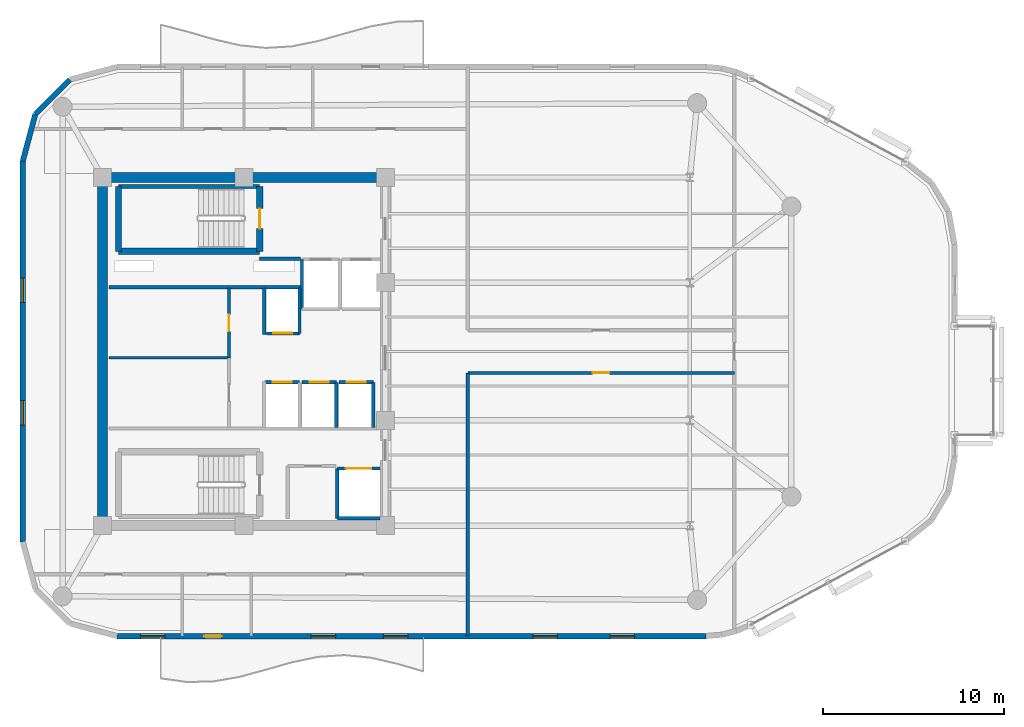
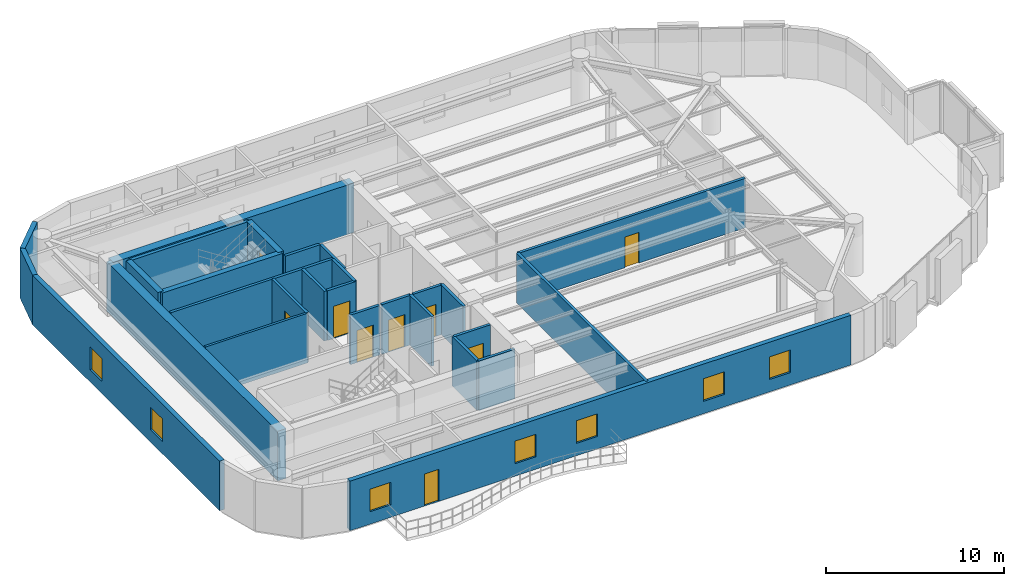
# One storey, part 10 of 14: 28 walls, 9 doors, 7 windows, 16 openings.
"""IFC4 building model written with IfcOpenShell, lengths in metres."""

from ifc_helpers import new_model, si_unit, direction, frame, frame_2d, origin, place, context, subcontext, project, spatial, rectangle, extrude, material, layer, layer_set, type_object, element, fill, save


model = new_model("IFC4")

# Units and contexts
model_context = context("Model", 3, precision=1e-05, world=origin(), true_north=direction((0.0, 1.0)))
body_context = subcontext(model_context, "Body", "Model", "MODEL_VIEW")
ifc_project = project(units=[si_unit("LENGTHUNIT", "METRE"), si_unit("AREAUNIT", "SQUARE_METRE"), si_unit("VOLUMEUNIT", "CUBIC_METRE"), si_unit("PLANEANGLEUNIT", "RADIAN"), si_unit("MASSUNIT", "GRAM", prefix="KILO")], contexts=[model_context])

# Site, building, storey
site_placement = place(None, origin())
site = spatial("IfcSite", under=ifc_project, at=site_placement, CompositionType="ELEMENT")
building_placement = place(site_placement, origin())
building = spatial("IfcBuilding", under=site, at=building_placement, Name="An Khanh Terracotta Commons", CompositionType="ELEMENT")
storey_placement = place(building_placement, frame((0.0, 0.0, 240.89990234375)))
storey = spatial("IfcBuildingStorey", under=building, at=storey_placement, Name="L63", CompositionType="ELEMENT", Elevation=240.89990234375)

# Walls
ifc_material_1 = material(Name="Concrete C50/60", Category="concrete")
ifc_layer_1 = layer(ifc_material_1, 0.550048828125, Name="Concrete C50/60")
ifc_layer_set_1 = layer_set([ifc_layer_1], Name="Concrete C50/60")
wall_type_1 = type_object("IfcWallType", Name="WALL-CORE-550", PredefinedType="SHEAR", material=ifc_layer_set_1)
wall_1_placement = place(storey_placement, frame((21.60009765625, 14.39990234375, 0.0), z_axis=(0.0, 0.0, 1.0), x_axis=(0.0, 1.0, 0.0)))
element("IfcWall", 1, at=wall_1_placement, inside=storey, type_object=wall_type_1, Name="L63 Core Wall CWALL-L63-W", PredefinedType="SHEAR", context=body_context, shape_type="SweptSolid", body=[
    extrude(rectangle(XDim=19.2001953125, YDim=0.550048828125, at=frame_2d((9.60009765625, 0.0))), origin(), (0.0, 0.0, 1.0), 3.400146484375),
])
wall_2_placement = place(storey_placement, frame((21.60009765625, 33.60009765625, 0.0), z_axis=(0.0, 0.0, 1.0), x_axis=(1.0, 0.0, 0.0)))
element("IfcWall", 2, at=wall_2_placement, inside=storey, type_object=wall_type_1, Name="L63 Core Wall CWALL-L63-N", PredefinedType="SHEAR", context=body_context, shape_type="SweptSolid", body=[
    extrude(rectangle(XDim=15.599853515625, YDim=0.550048828125, at=frame_2d((7.7998046875, 0.0))), origin(), (0.0, 0.0, 1.0), 3.400146484375),
])
ifc_material_2 = material(Name="Fire-Rated Gypsum Board on Steel Stud", Category="steel")
ifc_layer_2 = layer(ifc_material_2, 0.179931640625, Name="Fire-Rated Gypsum Board on Steel Stud")
ifc_layer_set_2 = layer_set([ifc_layer_2], Name="Fire-Rated Gypsum Board on Steel Stud")
wall_type_2 = type_object("IfcWallType", Name="WALL-CORR-180", PredefinedType="PARTITIONING", material=ifc_layer_set_2)
wall_3_placement = place(storey_placement, frame((30.27001953125, 29.1201171875, 0.0), z_axis=(0.0, 0.0, 1.0), x_axis=(1.0, 0.0, 0.0)))
element("IfcWall", 3, at=wall_3_placement, inside=storey, type_object=wall_type_2, Name="L63 Core Wall FFLW-L63-S", PredefinedType="PARTITIONING", context=body_context, shape_type="SweptSolid", body=[
    extrude(rectangle(XDim=2.239990234375, YDim=0.179931640625, at=frame_2d((1.1201171875, 0.0))), origin(), (0.0, 0.0, 1.0), 3.400146484375),
])
wall_4_placement = place(storey_placement, frame((21.949951171875, 27.5400390625, 0.0), z_axis=(0.0, 0.0, 1.0), x_axis=(1.0, 0.0, 0.0)))
element("IfcWall", 4, at=wall_4_placement, inside=storey, type_object=wall_type_2, Name="L63 Core Wall RSRW-L63-S", PredefinedType="PARTITIONING", context=body_context, shape_type="SweptSolid", body=[
    extrude(rectangle(XDim=10.56005859375, YDim=0.179931640625, at=frame_2d((5.280029296875, 0.0))), origin(), (0.0, 0.0, 1.0), 3.400146484375),
])
wall_5_placement = place(storey_placement, frame((32.60009765625, 29.080078125, 0.0), z_axis=(0.0, 0.0, 1.0), x_axis=(0.0, -1.0, 0.0)))
element("IfcWall", 5, at=wall_5_placement, inside=storey, type_object=wall_type_2, Name="L63 Core Wall LSH-L63-FFL-01-W", PredefinedType="PARTITIONING", context=body_context, shape_type="SweptSolid", body=[
    extrude(rectangle(XDim=2.72998046875, YDim=0.179931640625, at=frame_2d((1.364990234375, 0.0))), origin(), (0.0, 0.0, 1.0), 3.400146484375),
])

# Wall, opening, door
wall_6_placement = place(storey_placement, frame((34.550048828125, 17.550048828125, 0.0), z_axis=(0.0, 0.0, 1.0), x_axis=(1.0, 0.0, 0.0)))
wall_6 = element("IfcWall", 6, at=wall_6_placement, inside=storey, type_object=wall_type_2, Name="L63 Core Wall LSH-L63-SVL-01-N", PredefinedType="PARTITIONING", context=body_context, shape_type="SweptSolid", body=[
    extrude(rectangle(XDim=2.349853515625, YDim=0.179931640625, at=frame_2d((1.1748046875, 0.0))), origin(), (0.0, 0.0, 1.0), 3.400146484375),
])
opening_1_placement = place(wall_6_placement, frame((0.47509765625, 0.0, 0.0)))
opening_1 = element("IfcOpeningElement", 7, at=opening_1_placement, cuts=wall_6, Name="Opening LD-SVL-01-L63", PredefinedType="OPENING", context=body_context, shape_type="SweptSolid", body=[
    extrude(rectangle(XDim=1.39990234375, YDim=2.300048828125, at=frame_2d((0.699951171875, 1.14990234375))), frame((0.0, 0.099853515625, 0.0), z_axis=(0.0, -1.0, 0.0), x_axis=(1.0, 0.0, 0.0)), (0.0, 0.0, 1.0), 0.199951171875),
])
ifc_material_3 = material(Name="Heavy-Duty Stainless Steel Goods Landing Door", Category="steel")
door_type_1 = type_object("IfcDoorType", Name="DOOR-LD-SVL-1400", OperationType="NOTDEFINED", PredefinedType="DOOR", material=ifc_material_3)
door_1_placement = place(opening_1_placement, origin())
door_1 = element("IfcDoor", 8, at=door_1_placement, inside=storey, type_object=door_type_1, Name="L63 Lift SVL-01 Sliding Landing Door", OperationType="DOUBLE_DOOR_SLIDING", OverallHeight=2.300048828125, OverallWidth=1.39990234375, PredefinedType="DOOR", context=body_context, shape_type="SweptSolid", body=[
    extrude(rectangle(XDim=1.39990234375, YDim=2.300048828125, at=frame_2d((0.699951171875, 1.14990234375))), frame((0.0, 0.02490234375, 0.0), z_axis=(0.0, -1.0, 0.0), x_axis=(1.0, 0.0, 0.0)), (0.0, 0.0, 1.0), 0.050048828125),
])
fill(opening_1, door_1)

# Walls
wall_7_placement = place(storey_placement, frame((36.89990234375, 14.800048828125, 0.0), z_axis=(0.0, 0.0, 1.0), x_axis=(-1.0, 0.0, 0.0)))
element("IfcWall", 9, at=wall_7_placement, inside=storey, type_object=wall_type_2, Name="L63 Core Wall LSH-L63-SVL-01-S", PredefinedType="PARTITIONING", context=body_context, shape_type="SweptSolid", body=[
    extrude(rectangle(XDim=2.349853515625, YDim=0.179931640625, at=frame_2d((1.1748046875, 0.0))), origin(), (0.0, 0.0, 1.0), 3.400146484375),
])
wall_8_placement = place(storey_placement, frame((34.550048828125, 17.550048828125, 0.0), z_axis=(0.0, 0.0, 1.0), x_axis=(0.0, -1.0, 0.0)))
element("IfcWall", 10, at=wall_8_placement, inside=storey, type_object=wall_type_2, Name="L63 Core Wall LSH-L63-SVL-01-W", PredefinedType="PARTITIONING", context=body_context, shape_type="SweptSolid", body=[
    extrude(rectangle(XDim=2.75, YDim=0.179931640625, at=frame_2d((1.375, 0.0))), origin(), (0.0, 0.0, 1.0), 3.400146484375),
])

# Wall, opening, door
wall_9_placement = place(storey_placement, frame((32.4599609375, 25.0, 0.0), z_axis=(0.0, 0.0, 1.0), x_axis=(-1.0, 0.0, 0.0)))
wall_9 = element("IfcWall", 11, at=wall_9_placement, inside=storey, type_object=wall_type_2, Name="L63 Core Wall LSH-L63-PL-H1-S", PredefinedType="PARTITIONING", context=body_context, shape_type="SweptSolid", body=[
    extrude(rectangle(XDim=1.820068359375, YDim=0.179931640625, at=frame_2d((0.91015625, 0.0))), origin(), (0.0, 0.0, 1.0), 3.400146484375),
])
opening_2_placement = place(wall_9_placement, frame((0.385009765625, 0.0, 0.0)))
opening_2 = element("IfcOpeningElement", 12, at=opening_2_placement, cuts=wall_9, Name="Opening LD-PL-H1-L63", PredefinedType="OPENING", context=body_context, shape_type="SweptSolid", body=[
    extrude(rectangle(XDim=1.050048828125, YDim=2.199951171875, at=frame_2d((0.52490234375, 1.10009765625))), frame((0.0, 0.099853515625, 0.0), z_axis=(0.0, -1.0, 0.0), x_axis=(1.0, 0.0, 0.0)), (0.0, 0.0, 1.0), 0.199951171875),
])
ifc_material_4 = material(Name="Brushed Stainless Steel High-Rise Landing Door", Category="steel")
door_type_2 = type_object("IfcDoorType", Name="DOOR-LD-PAXH-1050", OperationType="NOTDEFINED", PredefinedType="DOOR", material=ifc_material_4)
door_2_placement = place(opening_2_placement, origin())
door_2 = element("IfcDoor", 13, at=door_2_placement, inside=storey, type_object=door_type_2, Name="L63 Lift PL-H1 Sliding Landing Door", OperationType="DOUBLE_DOOR_SLIDING", OverallHeight=2.199951171875, OverallWidth=1.050048828125, PredefinedType="DOOR", context=body_context, shape_type="SweptSolid", body=[
    extrude(rectangle(XDim=1.050048828125, YDim=2.199951171875, at=frame_2d((0.52490234375, 1.10009765625))), frame((0.0, 0.02490234375, 0.0), z_axis=(0.0, -1.0, 0.0), x_axis=(1.0, 0.0, 0.0)), (0.0, 0.0, 1.0), 0.050048828125),
])
fill(opening_2, door_2)

# Wall
wall_10_placement = place(storey_placement, frame((32.4599609375, 25.0, 0.0), z_axis=(0.0, 0.0, 1.0), x_axis=(0.0, 1.0, 0.0)))
element("IfcWall", 14, at=wall_10_placement, inside=storey, type_object=wall_type_2, Name="L63 Core Wall LSH-L63-PL-H1-E", PredefinedType="PARTITIONING", context=body_context, shape_type="SweptSolid", body=[
    extrude(rectangle(XDim=2.5, YDim=0.179931640625, at=frame_2d((1.25, 0.0))), origin(), (0.0, 0.0, 1.0), 3.400146484375),
])

# Wall, opening, door
wall_11_placement = place(storey_placement, frame((30.56005859375, 22.300048828125, 0.0), z_axis=(0.0, 0.0, 1.0), x_axis=(1.0, 0.0, 0.0)))
wall_11 = element("IfcWall", 15, at=wall_11_placement, inside=storey, type_object=wall_type_2, Name="L63 Core Wall LSH-L63-PL-H2-N", PredefinedType="PARTITIONING", context=body_context, shape_type="SweptSolid", body=[
    extrude(rectangle(XDim=1.89990234375, YDim=0.179931640625, at=frame_2d((0.949951171875, 0.0))), origin(), (0.0, 0.0, 1.0), 3.400146484375),
])
opening_3_placement = place(wall_11_placement, frame((0.425048828125, 0.0, 0.0)))
opening_3 = element("IfcOpeningElement", 16, at=opening_3_placement, cuts=wall_11, Name="Opening LD-PL-H2-L63", PredefinedType="OPENING", context=body_context, shape_type="SweptSolid", body=[
    extrude(rectangle(XDim=1.050048828125, YDim=2.199951171875, at=frame_2d((0.52490234375, 1.10009765625))), frame((0.0, 0.099853515625, 0.0), z_axis=(0.0, -1.0, 0.0), x_axis=(1.0, 0.0, 0.0)), (0.0, 0.0, 1.0), 0.199951171875),
])
door_3_placement = place(opening_3_placement, origin())
door_3 = element("IfcDoor", 17, at=door_3_placement, inside=storey, type_object=door_type_2, Name="L63 Lift PL-H2 Sliding Landing Door", OperationType="DOUBLE_DOOR_SLIDING", OverallHeight=2.199951171875, OverallWidth=1.050048828125, PredefinedType="DOOR", context=body_context, shape_type="SweptSolid", body=[
    extrude(rectangle(XDim=1.050048828125, YDim=2.199951171875, at=frame_2d((0.52490234375, 1.10009765625))), frame((0.0, 0.02490234375, 0.0), z_axis=(0.0, -1.0, 0.0), x_axis=(1.0, 0.0, 0.0)), (0.0, 0.0, 1.0), 0.050048828125),
])
fill(opening_3, door_3)

wall_12_placement = place(storey_placement, frame((32.60009765625, 22.300048828125, 0.0), z_axis=(0.0, 0.0, 1.0), x_axis=(1.0, 0.0, 0.0)))
wall_12 = element("IfcWall", 18, at=wall_12_placement, inside=storey, type_object=wall_type_2, Name="L63 Core Wall LSH-L63-PL-H3-N", PredefinedType="PARTITIONING", context=body_context, shape_type="SweptSolid", body=[
    extrude(rectangle(XDim=1.89990234375, YDim=0.179931640625, at=frame_2d((0.949951171875, 0.0))), origin(), (0.0, 0.0, 1.0), 3.400146484375),
])
opening_4_placement = place(wall_12_placement, frame((0.425048828125, 0.0, 0.0)))
opening_4 = element("IfcOpeningElement", 19, at=opening_4_placement, cuts=wall_12, Name="Opening LD-PL-H3-L63", PredefinedType="OPENING", context=body_context, shape_type="SweptSolid", body=[
    extrude(rectangle(XDim=1.050048828125, YDim=2.199951171875, at=frame_2d((0.52490234375, 1.10009765625))), frame((0.0, 0.099853515625, 0.0), z_axis=(0.0, -1.0, 0.0), x_axis=(1.0, 0.0, 0.0)), (0.0, 0.0, 1.0), 0.199951171875),
])
door_4_placement = place(opening_4_placement, origin())
door_4 = element("IfcDoor", 20, at=door_4_placement, inside=storey, type_object=door_type_2, Name="L63 Lift PL-H3 Sliding Landing Door", OperationType="DOUBLE_DOOR_SLIDING", OverallHeight=2.199951171875, OverallWidth=1.050048828125, PredefinedType="DOOR", context=body_context, shape_type="SweptSolid", body=[
    extrude(rectangle(XDim=1.050048828125, YDim=2.199951171875, at=frame_2d((0.52490234375, 1.10009765625))), frame((0.0, 0.02490234375, 0.0), z_axis=(0.0, -1.0, 0.0), x_axis=(1.0, 0.0, 0.0)), (0.0, 0.0, 1.0), 0.050048828125),
])
fill(opening_4, door_4)

# Wall
wall_13_placement = place(storey_placement, frame((34.5, 19.800048828125, 0.0), z_axis=(0.0, 0.0, 1.0), x_axis=(0.0, 1.0, 0.0)))
element("IfcWall", 21, at=wall_13_placement, inside=storey, type_object=wall_type_2, Name="L63 Core Wall LSH-L63-PL-H3-E", PredefinedType="PARTITIONING", context=body_context, shape_type="SweptSolid", body=[
    extrude(rectangle(XDim=2.5, YDim=0.179931640625, at=frame_2d((1.25, 0.0))), origin(), (0.0, 0.0, 1.0), 3.400146484375),
])

# Wall, opening, door
wall_14_placement = place(storey_placement, frame((34.639892578125, 22.300048828125, 0.0), z_axis=(0.0, 0.0, 1.0), x_axis=(1.0, 0.0, 0.0)))
wall_14 = element("IfcWall", 22, at=wall_14_placement, inside=storey, type_object=wall_type_2, Name="L63 Core Wall LSH-L63-PL-H4-N", PredefinedType="PARTITIONING", context=body_context, shape_type="SweptSolid", body=[
    extrude(rectangle(XDim=1.900146484375, YDim=0.179931640625, at=frame_2d((0.9501953125, 0.0))), origin(), (0.0, 0.0, 1.0), 3.400146484375),
])
opening_5_placement = place(wall_14_placement, frame((0.425048828125, 0.0, 0.0)))
opening_5 = element("IfcOpeningElement", 23, at=opening_5_placement, cuts=wall_14, Name="Opening LD-PL-H4-L63", PredefinedType="OPENING", context=body_context, shape_type="SweptSolid", body=[
    extrude(rectangle(XDim=1.050048828125, YDim=2.199951171875, at=frame_2d((0.52490234375, 1.10009765625))), frame((0.0, 0.099853515625, 0.0), z_axis=(0.0, -1.0, 0.0), x_axis=(1.0, 0.0, 0.0)), (0.0, 0.0, 1.0), 0.199951171875),
])
door_5_placement = place(opening_5_placement, origin())
door_5 = element("IfcDoor", 24, at=door_5_placement, inside=storey, type_object=door_type_2, Name="L63 Lift PL-H4 Sliding Landing Door", OperationType="DOUBLE_DOOR_SLIDING", OverallHeight=2.199951171875, OverallWidth=1.050048828125, PredefinedType="DOOR", context=body_context, shape_type="SweptSolid", body=[
    extrude(rectangle(XDim=1.050048828125, YDim=2.199951171875, at=frame_2d((0.52490234375, 1.10009765625))), frame((0.0, 0.02490234375, 0.0), z_axis=(0.0, -1.0, 0.0), x_axis=(1.0, 0.0, 0.0)), (0.0, 0.0, 1.0), 0.050048828125),
])
fill(opening_5, door_5)

# Walls
wall_15_placement = place(storey_placement, frame((36.5400390625, 19.800048828125, 0.0), z_axis=(0.0, 0.0, 1.0), x_axis=(0.0, 1.0, 0.0)))
element("IfcWall", 25, at=wall_15_placement, inside=storey, type_object=wall_type_2, Name="L63 Core Wall LSH-L63-PL-H4-E", PredefinedType="PARTITIONING", context=body_context, shape_type="SweptSolid", body=[
    extrude(rectangle(XDim=2.5, YDim=0.179931640625, at=frame_2d((1.25, 0.0))), origin(), (0.0, 0.0, 1.0), 3.400146484375),
])
wall_16_placement = place(storey_placement, frame((30.52001953125, 24.949951171875, 0.0), z_axis=(0.0, 0.0, 1.0), x_axis=(0.0, 1.0, 0.0)))
element("IfcWall", 26, at=wall_16_placement, inside=storey, type_object=wall_type_2, Name="L63 Core Wall RECW-L63-BE1", PredefinedType="PARTITIONING", context=body_context, shape_type="SweptSolid", body=[
    extrude(rectangle(XDim=2.550048828125, YDim=0.179931640625, at=frame_2d((1.27490234375, 0.0))), origin(), (0.0, 0.0, 1.0), 3.400146484375),
])

# Wall, opening, door
wall_17_placement = place(storey_placement, frame((28.580078125, 23.64990234375, 0.0), z_axis=(0.0, 0.0, 1.0), x_axis=(0.0, 1.0, 0.0)))
wall_17 = element("IfcWall", 27, at=wall_17_placement, inside=storey, type_object=wall_type_2, Name="L63 Core Wall RECW-L63-E1", PredefinedType="PARTITIONING", context=body_context, shape_type="SweptSolid", body=[
    extrude(rectangle(XDim=3.85009765625, YDim=0.179931640625, at=frame_2d((1.925048828125, 0.0))), origin(), (0.0, 0.0, 1.0), 3.400146484375),
])
opening_6_placement = place(wall_17_placement, frame((1.465087890625, 0.0, 0.0)))
opening_6 = element("IfcOpeningElement", 28, at=opening_6_placement, cuts=wall_17, Name="Opening D-RM", PredefinedType="OPENING", context=body_context, shape_type="SweptSolid", body=[
    extrude(rectangle(XDim=0.919921875, YDim=2.10009765625, at=frame_2d((0.4599609375, 1.050048828125))), frame((0.0, 0.099853515625, 0.0), z_axis=(0.0, -1.0, 0.0), x_axis=(1.0, 0.0, 0.0)), (0.0, 0.0, 1.0), 0.199951171875),
])
ifc_material_5 = material(Name="Engineered Hardwood Timber Leaf", Category="wood")
door_type_3 = type_object("IfcDoorType", Name="DOOR-INT-920", OperationType="NOTDEFINED", PredefinedType="DOOR", material=ifc_material_5)
door_6_placement = place(opening_6_placement, origin())
door_6 = element("IfcDoor", 29, at=door_6_placement, inside=storey, type_object=door_type_3, Name="L63 Communal Laundry Room Door", OperationType="SINGLE_SWING_RIGHT", OverallHeight=2.10009765625, OverallWidth=0.919921875, PredefinedType="DOOR", context=body_context, shape_type="SweptSolid", body=[
    extrude(rectangle(XDim=0.919921875, YDim=2.10009765625, at=frame_2d((0.4599609375, 1.050048828125))), frame((0.0, 0.02490234375, 0.0), z_axis=(0.0, -1.0, 0.0), x_axis=(1.0, 0.0, 0.0)), (0.0, 0.0, 1.0), 0.050048828125),
])
fill(opening_6, door_6)

wall_18_placement = place(storey_placement, frame((41.75, 22.820068359375, 0.0), z_axis=(0.0, 0.0, 1.0), x_axis=(1.0, 0.0, 0.0)))
wall_18 = element("IfcWall", 30, at=wall_18_placement, inside=storey, type_object=wall_type_2, Name="L63 Interior Partition IW-L63-E002", PredefinedType="PARTITIONING", context=body_context, shape_type="SweptSolid", body=[
    extrude(rectangle(XDim=14.699951171875, YDim=0.179931640625, at=frame_2d((7.35009765625, 0.0))), origin(), (0.0, 0.0, 1.0), 3.400146484375),
])
opening_7_placement = place(wall_18_placement, frame((6.889892578125, 0.0, 0.0)))
opening_7 = element("IfcOpeningElement", 31, at=opening_7_placement, cuts=wall_18, Name="Opening D-RM", PredefinedType="OPENING", context=body_context, shape_type="SweptSolid", body=[
    extrude(rectangle(XDim=0.919921875, YDim=2.10009765625, at=frame_2d((0.4599609375, 1.050048828125))), frame((0.0, 0.099853515625, 0.0), z_axis=(0.0, -1.0, 0.0), x_axis=(1.0, 0.0, 0.0)), (0.0, 0.0, 1.0), 0.199951171875),
])
door_7_placement = place(opening_7_placement, origin())
door_7 = element("IfcDoor", 32, at=door_7_placement, inside=storey, type_object=door_type_3, Name="L63 SPN2 Research Study Office Door", OperationType="SINGLE_SWING_RIGHT", OverallHeight=2.10009765625, OverallWidth=0.919921875, PredefinedType="DOOR", context=body_context, shape_type="SweptSolid", body=[
    extrude(rectangle(XDim=0.919921875, YDim=2.10009765625, at=frame_2d((0.4599609375, 1.050048828125))), frame((0.0, 0.02490234375, 0.0), z_axis=(0.0, -1.0, 0.0), x_axis=(1.0, 0.0, 0.0)), (0.0, 0.0, 1.0), 0.050048828125),
])
fill(opening_7, door_7)

# Wall
wall_19_placement = place(storey_placement, frame((41.75, 8.300048828125, 0.0), z_axis=(0.0, 0.0, 1.0), x_axis=(0.0, 1.0, 0.0)))
element("IfcWall", 33, at=wall_19_placement, inside=storey, type_object=wall_type_2, Name="L63 Interior Partition IW-L63-E010", PredefinedType="PARTITIONING", context=body_context, shape_type="SweptSolid", body=[
    extrude(rectangle(XDim=14.52001953125, YDim=0.179931640625, at=frame_2d((7.260009765625, 0.0))), origin(), (0.0, 0.0, 1.0), 3.400146484375),
])

# Wall, openings, door, windows
ifc_material_6 = material(Name="Precast concrete C40/50", Category="concrete")
ifc_layer_3 = layer(ifc_material_6, 0.300048828125, Name="Precast concrete C40/50")
ifc_layer_set_3 = layer_set([ifc_layer_3], Name="Precast concrete C40/50")
wall_type_3 = type_object("IfcWallType", Name="WALL-EXT-300", PredefinedType="SOLIDWALL", material=ifc_layer_set_3)
wall_20_placement = place(storey_placement, frame((22.39990234375, 8.300048828125, 0.0), z_axis=(0.0, 0.0, 1.0), x_axis=(1.0, 0.0, 0.0)))
wall_20 = element("IfcWall", 34, at=wall_20_placement, inside=storey, type_object=wall_type_3, Name="L63 Insulated Terracotta Exterior Wall 4", PredefinedType="SOLIDWALL", context=body_context, shape_type="SweptSolid", body=[
    extrude(rectangle(XDim=32.485107421875, YDim=0.300048828125, at=frame_2d((16.24267578125, 0.0))), origin(), (0.0, 0.0, 1.0), 3.400146484375),
])
opening_8_placement = place(wall_20_placement, frame((4.824951171875, 0.0, 0.0)))
opening_8 = element("IfcOpeningElement", 35, at=opening_8_placement, cuts=wall_20, Name="Opening D-BAL", PredefinedType="OPENING", context=body_context, shape_type="SweptSolid", body=[
    extrude(rectangle(XDim=0.949951171875, YDim=2.199951171875, at=frame_2d((0.47509765625, 1.10009765625))), frame((0.0, 0.159912109375, 0.0), z_axis=(0.0, -1.0, 0.0), x_axis=(1.0, 0.0, 0.0)), (0.0, 0.0, 1.0), 0.320068359375),
])
opening_9_placement = place(wall_20_placement, frame((1.300048828125, 0.0, 0.85009765625)))
opening_9 = element("IfcOpeningElement", 36, at=opening_9_placement, cuts=wall_20, Name="Opening W-04", PredefinedType="OPENING", context=body_context, shape_type="SweptSolid", body=[
    extrude(rectangle(XDim=1.35009765625, YDim=1.550048828125, at=frame_2d((0.675048828125, 0.77490234375))), frame((0.0, 0.159912109375, 0.0), z_axis=(0.0, -1.0, 0.0), x_axis=(1.0, 0.0, 0.0)), (0.0, 0.0, 1.0), 0.320068359375),
])
opening_10_placement = place(wall_20_placement, frame((10.7080078125, 0.0, 0.85009765625)))
opening_10 = element("IfcOpeningElement", 37, at=opening_10_placement, cuts=wall_20, Name="Opening W-04", PredefinedType="OPENING", context=body_context, shape_type="SweptSolid", body=[
    extrude(rectangle(XDim=1.35009765625, YDim=1.550048828125, at=frame_2d((0.675048828125, 0.77490234375))), frame((0.0, 0.159912109375, 0.0), z_axis=(0.0, -1.0, 0.0), x_axis=(1.0, 0.0, 0.0)), (0.0, 0.0, 1.0), 0.320068359375),
])
opening_11_placement = place(wall_20_placement, frame((14.69189453125, 0.0, 0.85009765625)))
opening_11 = element("IfcOpeningElement", 38, at=opening_11_placement, cuts=wall_20, Name="Opening W-04", PredefinedType="OPENING", context=body_context, shape_type="SweptSolid", body=[
    extrude(rectangle(XDim=1.35009765625, YDim=1.550048828125, at=frame_2d((0.675048828125, 0.77490234375))), frame((0.0, 0.159912109375, 0.0), z_axis=(0.0, -1.0, 0.0), x_axis=(1.0, 0.0, 0.0)), (0.0, 0.0, 1.0), 0.320068359375),
])
opening_12_placement = place(wall_20_placement, frame((22.93701171875, 0.0, 0.85009765625)))
opening_12 = element("IfcOpeningElement", 39, at=opening_12_placement, cuts=wall_20, Name="Opening W-04", PredefinedType="OPENING", context=body_context, shape_type="SweptSolid", body=[
    extrude(rectangle(XDim=1.35009765625, YDim=1.550048828125, at=frame_2d((0.675048828125, 0.77490234375))), frame((0.0, 0.159912109375, 0.0), z_axis=(0.0, -1.0, 0.0), x_axis=(1.0, 0.0, 0.0)), (0.0, 0.0, 1.0), 0.320068359375),
])
opening_13_placement = place(wall_20_placement, frame((27.197998046875, 0.0, 0.85009765625)))
opening_13 = element("IfcOpeningElement", 40, at=opening_13_placement, cuts=wall_20, Name="Opening W-04", PredefinedType="OPENING", context=body_context, shape_type="SweptSolid", body=[
    extrude(rectangle(XDim=1.35009765625, YDim=1.550048828125, at=frame_2d((0.675048828125, 0.77490234375))), frame((0.0, 0.159912109375, 0.0), z_axis=(0.0, -1.0, 0.0), x_axis=(1.0, 0.0, 0.0)), (0.0, 0.0, 1.0), 0.320068359375),
])
ifc_material_7 = material(Name="Thermally Broken Aluminium and Low-E Glass", Category="aluminium")
door_type_4 = type_object("IfcDoorType", Name="DOOR-BALC-950", OperationType="NOTDEFINED", PredefinedType="DOOR", material=ifc_material_7)
door_8_placement = place(opening_8_placement, origin())
door_8 = element("IfcDoor", 41, at=door_8_placement, inside=storey, type_object=door_type_4, Name="L63 S Wave Balcony Glazed Door", OperationType="SINGLE_SWING_LEFT", OverallHeight=2.199951171875, OverallWidth=0.949951171875, PredefinedType="DOOR", context=body_context, shape_type="SweptSolid", body=[
    extrude(rectangle(XDim=0.949951171875, YDim=2.199951171875, at=frame_2d((0.47509765625, 1.10009765625))), frame((0.0, 0.02490234375, 0.0), z_axis=(0.0, -1.0, 0.0), x_axis=(1.0, 0.0, 0.0)), (0.0, 0.0, 1.0), 0.050048828125),
])
fill(opening_8, door_8)
window_type = type_object("IfcWindowType", Name="WIN-Z4-1350x1550", PartitioningType="SINGLE_PANEL", PredefinedType="WINDOW", material=ifc_material_7)
window_1_placement = place(opening_9_placement, origin())
window_1 = element("IfcWindow", 42, at=window_1_placement, inside=storey, type_object=window_type, Name="L63 Operable Casement Window 4.1", OverallHeight=1.550048828125, OverallWidth=1.35009765625, PartitioningType="SINGLE_PANEL", PredefinedType="WINDOW", context=body_context, shape_type="SweptSolid", body=[
    extrude(rectangle(XDim=1.35009765625, YDim=1.550048828125, at=frame_2d((0.675048828125, 0.77490234375))), frame((0.0, 0.030029296875, 0.0), z_axis=(0.0, -1.0, 0.0), x_axis=(1.0, 0.0, 0.0)), (0.0, 0.0, 1.0), 0.06005859375),
])
fill(opening_9, window_1)
window_2_placement = place(opening_10_placement, origin())
window_2 = element("IfcWindow", 43, at=window_2_placement, inside=storey, type_object=window_type, Name="L63 Operable Casement Window 4.2", OverallHeight=1.550048828125, OverallWidth=1.35009765625, PartitioningType="SINGLE_PANEL", PredefinedType="WINDOW", context=body_context, shape_type="SweptSolid", body=[
    extrude(rectangle(XDim=1.35009765625, YDim=1.550048828125, at=frame_2d((0.675048828125, 0.77490234375))), frame((0.0, 0.030029296875, 0.0), z_axis=(0.0, -1.0, 0.0), x_axis=(1.0, 0.0, 0.0)), (0.0, 0.0, 1.0), 0.06005859375),
])
fill(opening_10, window_2)
window_3_placement = place(opening_11_placement, origin())
window_3 = element("IfcWindow", 44, at=window_3_placement, inside=storey, type_object=window_type, Name="L63 Operable Casement Window 4.3", OverallHeight=1.550048828125, OverallWidth=1.35009765625, PartitioningType="SINGLE_PANEL", PredefinedType="WINDOW", context=body_context, shape_type="SweptSolid", body=[
    extrude(rectangle(XDim=1.35009765625, YDim=1.550048828125, at=frame_2d((0.675048828125, 0.77490234375))), frame((0.0, 0.030029296875, 0.0), z_axis=(0.0, -1.0, 0.0), x_axis=(1.0, 0.0, 0.0)), (0.0, 0.0, 1.0), 0.06005859375),
])
fill(opening_11, window_3)
window_4_placement = place(opening_12_placement, origin())
window_4 = element("IfcWindow", 45, at=window_4_placement, inside=storey, type_object=window_type, Name="L63 Operable Casement Window 4.4", OverallHeight=1.550048828125, OverallWidth=1.35009765625, PartitioningType="SINGLE_PANEL", PredefinedType="WINDOW", context=body_context, shape_type="SweptSolid", body=[
    extrude(rectangle(XDim=1.35009765625, YDim=1.550048828125, at=frame_2d((0.675048828125, 0.77490234375))), frame((0.0, 0.030029296875, 0.0), z_axis=(0.0, -1.0, 0.0), x_axis=(1.0, 0.0, 0.0)), (0.0, 0.0, 1.0), 0.06005859375),
])
fill(opening_12, window_4)
window_5_placement = place(opening_13_placement, origin())
window_5 = element("IfcWindow", 46, at=window_5_placement, inside=storey, type_object=window_type, Name="L63 Operable Casement Window 4.5", OverallHeight=1.550048828125, OverallWidth=1.35009765625, PartitioningType="SINGLE_PANEL", PredefinedType="WINDOW", context=body_context, shape_type="SweptSolid", body=[
    extrude(rectangle(XDim=1.35009765625, YDim=1.550048828125, at=frame_2d((0.675048828125, 0.77490234375))), frame((0.0, 0.030029296875, 0.0), z_axis=(0.0, -1.0, 0.0), x_axis=(1.0, 0.0, 0.0)), (0.0, 0.0, 1.0), 0.06005859375),
])
fill(opening_13, window_5)

# Walls
wall_21_placement = place(storey_placement, frame((19.800048828125, 39.0029296875, 0.0), z_axis=(0.0, 0.0, 1.0), x_axis=(-0.707152139074, -0.70706142039, 0.0)))
element("IfcWall", 47, at=wall_21_placement, inside=storey, type_object=wall_type_3, Name="L63 Insulated Terracotta Exterior Wall 22", PredefinedType="SOLIDWALL", context=body_context, shape_type="SweptSolid", body=[
    extrude(rectangle(XDim=2.691162109375, YDim=0.300048828125, at=frame_2d((1.345703125, 0.0))), origin(), (0.0, 0.0, 1.0), 3.400146484375),
])
wall_22_placement = place(storey_placement, frame((17.89697265625, 37.10009765625, 0.0), z_axis=(0.0, 0.0, 1.0), x_axis=(-0.258932525951, -0.965895412042, 0.0)))
element("IfcWall", 48, at=wall_22_placement, inside=storey, type_object=wall_type_3, Name="L63 Insulated Terracotta Exterior Wall 23", PredefinedType="SOLIDWALL", context=body_context, shape_type="SweptSolid", body=[
    extrude(rectangle(XDim=2.69189453125, YDim=0.300048828125, at=frame_2d((1.345947265625, 0.0))), origin(), (0.0, 0.0, 1.0), 3.400146484375),
])

# Wall, openings, windows
wall_23_placement = place(storey_placement, frame((17.199951171875, 34.5, 0.0), z_axis=(0.0, 0.0, 1.0), x_axis=(0.0, -1.0, 0.0)))
wall_23 = element("IfcWall", 49, at=wall_23_placement, inside=storey, type_object=wall_type_3, Name="L63 Insulated Terracotta Exterior Wall 24", PredefinedType="SOLIDWALL", context=body_context, shape_type="SweptSolid", body=[
    extrude(rectangle(XDim=21.0, YDim=0.300048828125, at=frame_2d((10.5, 0.0))), origin(), (0.0, 0.0, 1.0), 3.400146484375),
])
opening_14_placement = place(wall_23_placement, frame((6.44189453125, 0.0, 0.85009765625)))
opening_14 = element("IfcOpeningElement", 50, at=opening_14_placement, cuts=wall_23, Name="Opening W-04", PredefinedType="OPENING", context=body_context, shape_type="SweptSolid", body=[
    extrude(rectangle(XDim=1.35009765625, YDim=1.550048828125, at=frame_2d((0.675048828125, 0.77490234375))), frame((0.0, 0.159912109375, 0.0), z_axis=(0.0, -1.0, 0.0), x_axis=(1.0, 0.0, 0.0)), (0.0, 0.0, 1.0), 0.320068359375),
])
opening_15_placement = place(wall_23_placement, frame((13.2080078125, 0.0, 0.85009765625)))
opening_15 = element("IfcOpeningElement", 51, at=opening_15_placement, cuts=wall_23, Name="Opening W-04", PredefinedType="OPENING", context=body_context, shape_type="SweptSolid", body=[
    extrude(rectangle(XDim=1.35009765625, YDim=1.550048828125, at=frame_2d((0.675048828125, 0.77490234375))), frame((0.0, 0.159912109375, 0.0), z_axis=(0.0, -1.0, 0.0), x_axis=(1.0, 0.0, 0.0)), (0.0, 0.0, 1.0), 0.320068359375),
])
window_6_placement = place(opening_14_placement, origin())
window_6 = element("IfcWindow", 52, at=window_6_placement, inside=storey, type_object=window_type, Name="L63 Operable Casement Window 24.1", OverallHeight=1.550048828125, OverallWidth=1.35009765625, PartitioningType="SINGLE_PANEL", PredefinedType="WINDOW", context=body_context, shape_type="SweptSolid", body=[
    extrude(rectangle(XDim=1.35009765625, YDim=1.550048828125, at=frame_2d((0.675048828125, 0.77490234375))), frame((0.0, 0.030029296875, 0.0), z_axis=(0.0, -1.0, 0.0), x_axis=(1.0, 0.0, 0.0)), (0.0, 0.0, 1.0), 0.06005859375),
])
fill(opening_14, window_6)
window_7_placement = place(opening_15_placement, origin())
window_7 = element("IfcWindow", 53, at=window_7_placement, inside=storey, type_object=window_type, Name="L63 Operable Casement Window 24.2", OverallHeight=1.550048828125, OverallWidth=1.35009765625, PartitioningType="SINGLE_PANEL", PredefinedType="WINDOW", context=body_context, shape_type="SweptSolid", body=[
    extrude(rectangle(XDim=1.35009765625, YDim=1.550048828125, at=frame_2d((0.675048828125, 0.77490234375))), frame((0.0, 0.030029296875, 0.0), z_axis=(0.0, -1.0, 0.0), x_axis=(1.0, 0.0, 0.0)), (0.0, 0.0, 1.0), 0.06005859375),
])
fill(opening_15, window_7)

# Walls
ifc_material_8 = material(Name="Acoustic Gypsum Board Partition")
ifc_layer_4 = layer(ifc_material_8, 0.14990234375, Name="Acoustic Gypsum Board Partition")
ifc_layer_set_4 = layer_set([ifc_layer_4], Name="Acoustic Gypsum Board Partition")
wall_type_4 = type_object("IfcWallType", Name="WALL-PART-150", PredefinedType="PARTITIONING", material=ifc_layer_set_4)
wall_24_placement = place(storey_placement, frame((21.949951171875, 23.64990234375, 0.0), z_axis=(0.0, 0.0, 1.0), x_axis=(1.0, 0.0, 0.0)))
element("IfcWall", 54, at=wall_24_placement, inside=storey, type_object=wall_type_4, Name="L63 Core Wall RECW-L63-M", PredefinedType="PARTITIONING", context=body_context, shape_type="SweptSolid", body=[
    extrude(rectangle(XDim=6.630126953125, YDim=0.14990234375, at=frame_2d((3.31494140625, 0.0))), origin(), (0.0, 0.0, 1.0), 3.400146484375),
])
ifc_material_9 = material(Name="Acoustic Double-Stud Gypsum and Mineral Wool")
ifc_layer_5 = layer(ifc_material_9, 0.219970703125, Name="Acoustic Double-Stud Gypsum and Mineral Wool")
ifc_layer_set_5 = layer_set([ifc_layer_5], Name="Acoustic Double-Stud Gypsum and Mineral Wool")
wall_type_5 = type_object("IfcWallType", Name="WALL-PARTY-220", PredefinedType="PARTITIONING", material=ifc_layer_set_5)
wall_25_placement = place(storey_placement, frame((22.47998046875, 33.110107421875, 0.0), z_axis=(0.0, 0.0, 1.0), x_axis=(1.0, 0.0, 0.0)))
element("IfcWall", 55, at=wall_25_placement, inside=storey, type_object=wall_type_5, Name="L63 Core Wall STW-L63-N-N", PredefinedType="PARTITIONING", context=body_context, shape_type="SweptSolid", body=[
    extrude(rectangle(XDim=7.7900390625, YDim=0.219970703125, at=frame_2d((3.89501953125, 0.0))), origin(), (0.0, 0.0, 1.0), 3.400146484375),
])
ifc_layer_6 = layer(ifc_material_1, 0.35009765625, Name="Concrete C50/60")
ifc_layer_set_6 = layer_set([ifc_layer_6], Name="Concrete C50/60")
wall_type_6 = type_object("IfcWallType", Name="WALL-SHAFT-350", PredefinedType="SOLIDWALL", material=ifc_layer_set_6)
wall_26_placement = place(storey_placement, frame((22.47998046875, 29.530029296875, 0.0), z_axis=(0.0, 0.0, 1.0), x_axis=(1.0, 0.0, 0.0)))
element("IfcWall", 56, at=wall_26_placement, inside=storey, type_object=wall_type_6, Name="L63 Core Wall STW-L63-N-S", PredefinedType="SOLIDWALL", context=body_context, shape_type="SweptSolid", body=[
    extrude(rectangle(XDim=7.7900390625, YDim=0.35009765625, at=frame_2d((3.89501953125, 0.0))), origin(), (0.0, 0.0, 1.0), 3.400146484375),
])
wall_27_placement = place(storey_placement, frame((22.47998046875, 29.530029296875, 0.0), z_axis=(0.0, 0.0, 1.0), x_axis=(0.0, 1.0, 0.0)))
element("IfcWall", 57, at=wall_27_placement, inside=storey, type_object=wall_type_6, Name="L63 Core Wall STW-L63-N-W", PredefinedType="SOLIDWALL", context=body_context, shape_type="SweptSolid", body=[
    extrude(rectangle(XDim=3.580078125, YDim=0.35009765625, at=frame_2d((1.7900390625, 0.0))), origin(), (0.0, 0.0, 1.0), 3.400146484375),
])

# Wall, opening, door
wall_28_placement = place(storey_placement, frame((30.27001953125, 29.530029296875, 0.0), z_axis=(0.0, 0.0, 1.0), x_axis=(0.0, 1.0, 0.0)))
wall_28 = element("IfcWall", 58, at=wall_28_placement, inside=storey, type_object=wall_type_6, Name="L63 Core Wall STW-L63-N-E", PredefinedType="SOLIDWALL", context=body_context, shape_type="SweptSolid", body=[
    extrude(rectangle(XDim=3.580078125, YDim=0.35009765625, at=frame_2d((1.7900390625, 0.0))), origin(), (0.0, 0.0, 1.0), 3.400146484375),
])
opening_16_placement = place(wall_28_placement, frame((1.25, 0.0, 0.0)))
opening_16 = element("IfcOpeningElement", 59, at=opening_16_placement, cuts=wall_28, Name="Opening D-ST", PredefinedType="OPENING", context=body_context, shape_type="SweptSolid", body=[
    extrude(rectangle(XDim=1.10009765625, YDim=2.14990234375, at=frame_2d((0.550048828125, 1.074951171875))), frame((0.0, 0.18505859375, 0.0), z_axis=(0.0, -1.0, 0.0), x_axis=(1.0, 0.0, 0.0)), (0.0, 0.0, 1.0), 0.3701171875),
])
ifc_material_10 = material(Name="Fire-Rated Steel Leaf and Frame", Category="steel")
door_type_5 = type_object("IfcDoorType", Name="DOOR-STAIR-1100", OperationType="NOTDEFINED", PredefinedType="DOOR", material=ifc_material_10)
door_9_placement = place(opening_16_placement, origin())
door_9 = element("IfcDoor", 60, at=door_9_placement, inside=storey, type_object=door_type_5, Name="L63 Stair ST-01 Fire Door", OperationType="SINGLE_SWING_LEFT", OverallHeight=2.14990234375, OverallWidth=1.10009765625, PredefinedType="DOOR", context=body_context, shape_type="SweptSolid", body=[
    extrude(rectangle(XDim=1.10009765625, YDim=2.14990234375, at=frame_2d((0.550048828125, 1.074951171875))), frame((0.0, 0.02490234375, 0.0), z_axis=(0.0, -1.0, 0.0), x_axis=(1.0, 0.0, 0.0)), (0.0, 0.0, 1.0), 0.050048828125),
])
fill(opening_16, door_9)

save(model, "model.ifc")
